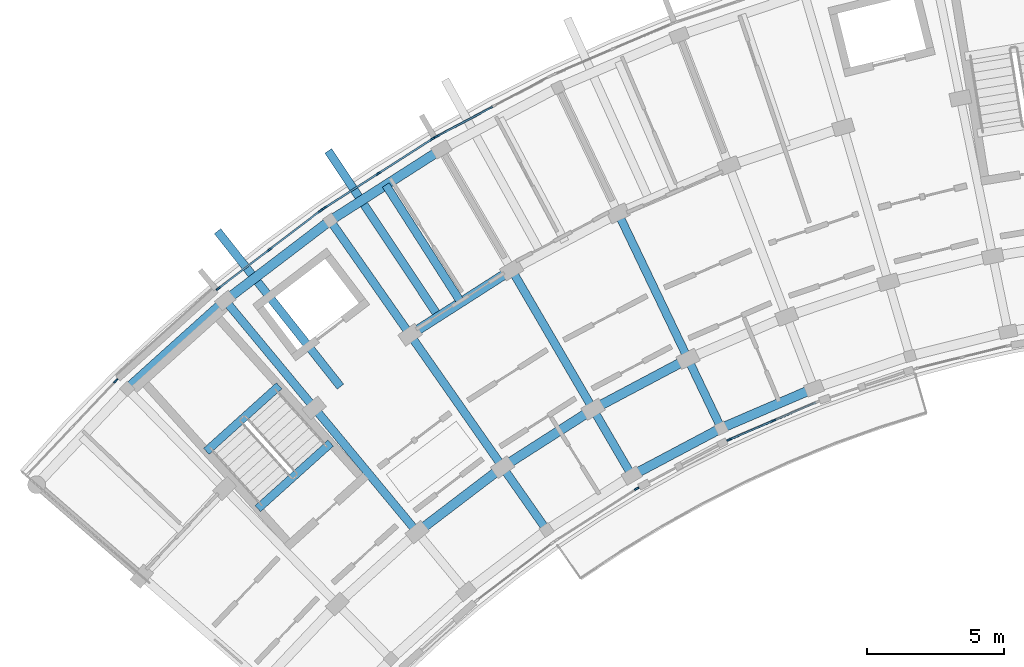
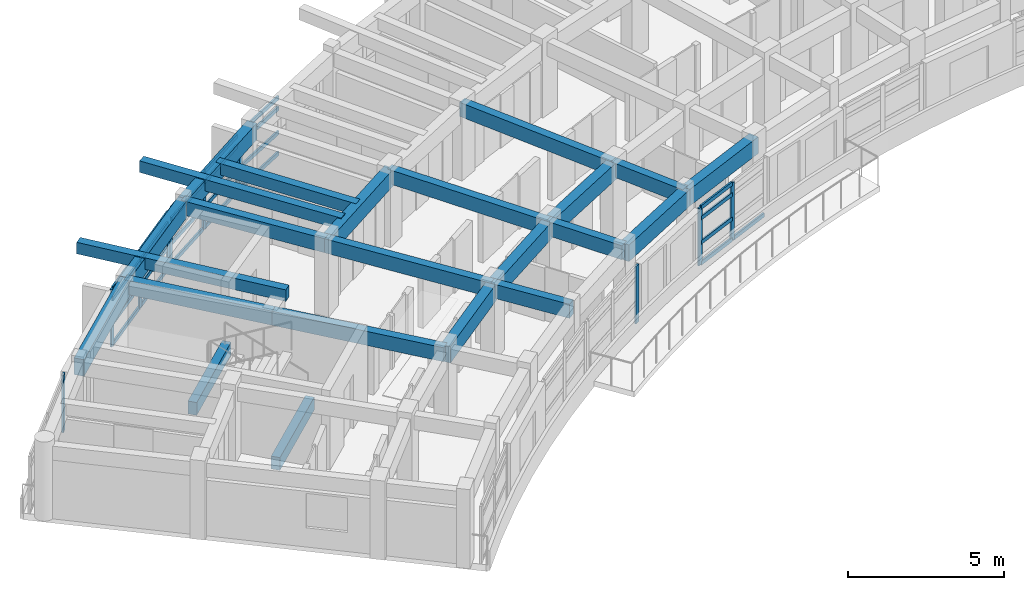
# One storey, part 3 of 38: 36 members, 23 beams, 6 elements without a shape of their own.
"""IFC4 building model written with IfcOpenShell, lengths in metres."""

from ifc_helpers import new_model, si_unit, direction, frame, origin, origin_2d, place, context, subcontext, project, spatial, rectangle, extrude, material, material_profile, profile_set, type_object, element, aggregate, save


model = new_model("IFC4")

# Units and contexts
model_context = context("Model", 3, precision=1e-05, world=origin(), true_north=direction((0.0, 1.0)))
body_context = subcontext(model_context, "Body", "Model", "MODEL_VIEW")
ifc_project = project(units=[si_unit("LENGTHUNIT", "METRE"), si_unit("AREAUNIT", "SQUARE_METRE"), si_unit("VOLUMEUNIT", "CUBIC_METRE"), si_unit("PLANEANGLEUNIT", "RADIAN"), si_unit("MASSUNIT", "GRAM", prefix="KILO")], contexts=[model_context])

# Site, building, storey
site_placement = place(None, origin())
site = spatial("IfcSite", under=ifc_project, at=site_placement, CompositionType="ELEMENT")
building_placement = place(site_placement, origin())
building = spatial("IfcBuilding", under=site, at=building_placement, Name="Zimvara Arc Housing Community", CompositionType="ELEMENT")
storey_placement = place(building_placement, frame((0.0, 0.0, 29.800048828125)))
storey = spatial("IfcBuildingStorey", under=building, at=storey_placement, Name="L09", CompositionType="ELEMENT", Elevation=29.800048828125)

# Beams
ifc_material_1 = material(Name="Concrete C40/50", Category="concrete")
ifc_material_profile_1 = material_profile(ifc_material_1, rectangle(XDim=0.300048828125, YDim=0.449951171875, at=origin_2d()), Name="RC 300x450")
ifc_profile_set_1 = profile_set([ifc_material_profile_1], Name="Concrete C40/50")
beam_type_1 = type_object("IfcBeamType", Name="BM-RC-300x450", PredefinedType="JOIST", material=ifc_profile_set_1)
beam_1_placement = place(storey_placement, frame((16.0224609375, 89.776123046875, 2.635009765625), z_axis=(-0.539052331508, 0.842272274206, 0.0), x_axis=(-0.842272274206, -0.539052331508, 0.0)))
element("IfcBeam", 1, at=beam_1_placement, inside=storey, type_object=beam_type_1, Name="bm:blkA:L09:joist:b3", PredefinedType="JOIST", context=body_context, shape_type="SweptSolid", body=[
    extrude(rectangle(XDim=0.300048828125, YDim=0.449951171875, at=origin_2d()), origin(), (0.0, 0.0, 1.0), 5.07568359375),
])
for number, where, z_axis, x_axis, name in (
    (2, (11.634033203125, 86.703857421875, 2.6650390625), (-0.620202196013, 0.784441990246, 0.0), (-0.784441990246, -0.620202196013, 0.0), "bm:blkA:L09:cant_out:b2"),
    (3, (15.188720703125, 89.285400390625, 2.6650390625), (-0.554114811637, 0.832440253426, 0.0), (-0.832440253426, -0.554114811637, 0.0), "bm:blkA:L09:cant_out:b3"),
):
    element("IfcBeam", number, at=place(storey_placement, frame(where, z_axis=z_axis, x_axis=x_axis)), inside=storey, type_object=beam_type_1, Name=name, PredefinedType="JOIST", context=body_context, shape_type="SweptSolid", body=[
        extrude(rectangle(XDim=0.300048828125, YDim=0.449951171875, at=origin_2d()), origin(), (0.0, 0.0, 1.0), 7.219970703125),
    ])
ifc_material_2 = material(Name="Concrete C40/50", Category="concrete")
ifc_material_profile_2 = material_profile(ifc_material_2, rectangle(XDim=0.300048828125, YDim=0.5, at=origin_2d()), Name="RC 300x500")
ifc_profile_set_2 = profile_set([ifc_material_profile_2], Name="Concrete C40/50")
beam_type_2 = type_object("IfcBeamType", Name="BM-RC-300x500", PredefinedType="BEAM", material=ifc_profile_set_2)
for number, where, z_axis, x_axis, name in (
    (4, (11.278076171875, 84.64697265625, -0.25), (-0.743362151162, -0.668889162881, 0.0), (0.668889162881, -0.743362151162, 0.0), "bm:stair_trim:ST-A1:L09:near"),
    (5, (9.39990234375, 86.734375, 1.300048828125), (-0.743362151162, -0.668889162881, 0.0), (0.668889162881, -0.743362151162, 0.0), "bm:stair_trim:ST-A1:L09:mid"),
):
    element("IfcBeam", number, at=place(storey_placement, frame(where, z_axis=z_axis, x_axis=x_axis)), inside=storey, type_object=beam_type_2, Name=name, PredefinedType="BEAM", context=body_context, shape_type="SweptSolid", body=[
        extrude(rectangle(XDim=0.300048828125, YDim=0.5, at=origin_2d()), origin(), (0.0, 0.0, 1.0), 3.570068359375),
    ])
ifc_material_3 = material(Name="Concrete C40/50", Category="concrete")
ifc_material_profile_3 = material_profile(ifc_material_3, rectangle(XDim=0.300048828125, YDim=0.550048828125, at=origin_2d()), Name="RC 300x550")
ifc_profile_set_3 = profile_set([ifc_material_profile_3], Name="Concrete C40/50")
beam_type_3 = type_object("IfcBeamType", Name="BM-RC-300x550", PredefinedType="BEAM", material=ifc_profile_set_3)
beam_2_placement = place(storey_placement, frame((14.428955078125, 81.401611328125, 2.5849609375), z_axis=(-0.637955964415, 0.770072845559, 0.0), x_axis=(-0.770072845559, -0.637955964415, 0.0)))
element("IfcBeam", 6, at=beam_2_placement, inside=storey, type_object=beam_type_3, Name="bm:blkA:L09:rad:b2:r12", PredefinedType="BEAM", context=body_context, shape_type="SweptSolid", body=[
    extrude(rectangle(XDim=0.300048828125, YDim=0.550048828125, at=origin_2d()), origin(), (0.0, 0.0, 1.0), 5.880126953125),
])
beam_3_placement = place(storey_placement, frame((10.677734375, 85.9296875, 2.5849609375), z_axis=(-0.637983669165, 0.77004989311, 0.0), x_axis=(-0.77004989311, -0.637983669165, 0.0)))
element("IfcBeam", 7, at=beam_3_placement, inside=storey, type_object=beam_type_3, Name="bm:blkA:L09:rad:b2:r23", PredefinedType="BEAM", context=body_context, shape_type="SweptSolid", body=[
    extrude(rectangle(XDim=0.300048828125, YDim=0.550048828125, at=origin_2d()), origin(), (0.0, 0.0, 1.0), 5.080078125),
])
beam_4_placement = place(storey_placement, frame((19.14599609375, 81.478271484375, 2.5849609375), z_axis=(-0.57297651105, 0.819571789281, 0.0), x_axis=(-0.819571789281, -0.57297651105, 0.0)))
element("IfcBeam", 8, at=beam_4_placement, inside=storey, type_object=beam_type_3, Name="bm:blkA:L09:rad:b3:r01", PredefinedType="BEAM", context=body_context, shape_type="SweptSolid", body=[
    extrude(rectangle(XDim=0.300048828125, YDim=0.550048828125, at=origin_2d()), origin(), (0.0, 0.0, 1.0), 2.7998046875),
])
beam_5_placement = place(storey_placement, frame((17.541748046875, 83.77294921875, 2.5849609375), z_axis=(-0.573027549978, 0.819536104736, 0.0), x_axis=(-0.819536104736, -0.573027549978, 0.0)))
element("IfcBeam", 9, at=beam_5_placement, inside=storey, type_object=beam_type_3, Name="bm:blkA:L09:rad:b3:r12", PredefinedType="BEAM", context=body_context, shape_type="SweptSolid", body=[
    extrude(rectangle(XDim=0.300048828125, YDim=0.550048828125, at=origin_2d()), origin(), (0.0, 0.0, 1.0), 5.8798828125),
])
beam_6_placement = place(storey_placement, frame((14.17236328125, 88.591796875, 2.5849609375), z_axis=(-0.573007469479, 0.819550144848, 0.0), x_axis=(-0.819550144848, -0.573007469479, 0.0)))
element("IfcBeam", 10, at=beam_6_placement, inside=storey, type_object=beam_type_3, Name="bm:blkA:L09:rad:b3:r23", PredefinedType="BEAM", context=body_context, shape_type="SweptSolid", body=[
    extrude(rectangle(XDim=0.300048828125, YDim=0.550048828125, at=origin_2d()), origin(), (0.0, 0.0, 1.0), 5.080078125),
])
beam_7_placement = place(storey_placement, frame((22.249267578125, 83.46435546875, 2.5849609375), z_axis=(-0.504239631668, 0.86356377521, 0.0), x_axis=(-0.86356377521, -0.504239631668, 0.0)))
element("IfcBeam", 11, at=beam_7_placement, inside=storey, type_object=beam_type_3, Name="bm:blkA:L09:rad:b4:r01", PredefinedType="BEAM", context=body_context, shape_type="SweptSolid", body=[
    extrude(rectangle(XDim=0.300048828125, YDim=0.550048828125, at=origin_2d()), origin(), (0.0, 0.0, 1.0), 2.800048828125),
])
beam_8_placement = place(storey_placement, frame((20.83740234375, 85.88232421875, 2.5849609375), z_axis=(-0.504219494781, 0.863575532934, 0.0), x_axis=(-0.863575532934, -0.504219494781, 0.0)))
element("IfcBeam", 12, at=beam_8_placement, inside=storey, type_object=beam_type_3, Name="bm:blkA:L09:rad:b4:r12", PredefinedType="BEAM", context=body_context, shape_type="SweptSolid", body=[
    extrude(rectangle(XDim=0.300048828125, YDim=0.550048828125, at=origin_2d()), origin(), (0.0, 0.0, 1.0), 5.880126953125),
])
beam_9_placement = place(storey_placement, frame((25.50439453125, 85.190673828125, 2.5849609375), z_axis=(-0.432118703138, 0.901816736593, 0.0), x_axis=(-0.901816736593, -0.432118703138, 0.0)))
element("IfcBeam", 13, at=beam_9_placement, inside=storey, type_object=beam_type_3, Name="bm:blkA:L09:rad:b5:r01", PredefinedType="BEAM", context=body_context, shape_type="SweptSolid", body=[
    extrude(rectangle(XDim=0.300048828125, YDim=0.550048828125, at=origin_2d()), origin(), (0.0, 0.0, 1.0), 2.800048828125),
])
beam_10_placement = place(storey_placement, frame((24.29443359375, 87.7158203125, 2.5849609375), z_axis=(-0.432069527705, 0.901840298073, 0.0), x_axis=(-0.901840298073, -0.432069527705, 0.0)))
element("IfcBeam", 14, at=beam_10_placement, inside=storey, type_object=beam_type_3, Name="bm:blkA:L09:rad:b5:r12", PredefinedType="BEAM", context=body_context, shape_type="SweptSolid", body=[
    extrude(rectangle(XDim=0.300048828125, YDim=0.550048828125, at=origin_2d()), origin(), (0.0, 0.0, 1.0), 5.8798828125),
])
ifc_material_4 = material(Name="Concrete C40/50", Category="concrete")
ifc_material_profile_4 = material_profile(ifc_material_4, rectangle(XDim=0.35009765625, YDim=0.64990234375, at=origin_2d()), Name="RC 350x650")
ifc_profile_set_4 = profile_set([ifc_material_profile_4], Name="Concrete C40/50")
beam_type_4 = type_object("IfcBeamType", Name="BM-RC-350x650", PredefinedType="BEAM", material=ifc_profile_set_4)
beam_11_placement = place(storey_placement, frame((22.249267578125, 83.46435546875, 2.534912109375), z_axis=(0.883449220086, 0.468526920815, 0.0), x_axis=(-0.468526920815, 0.883449220086, 0.0)))
element("IfcBeam", 15, at=beam_11_placement, inside=storey, type_object=beam_type_4, Name="bm:blkA:L09:chord:r0:b4", PredefinedType="BEAM", context=body_context, shape_type="SweptSolid", body=[
    extrude(rectangle(XDim=0.35009765625, YDim=0.64990234375, at=origin_2d()), origin(), (0.0, 0.0, 1.0), 3.6845703125),
])
beam_12_placement = place(storey_placement, frame((25.50439453125, 85.190673828125, 2.534912109375), z_axis=(0.918705736243, 0.394942742932, 0.0), x_axis=(-0.394942742932, 0.918705736243, 0.0)))
element("IfcBeam", 16, at=beam_12_placement, inside=storey, type_object=beam_type_4, Name="bm:blkA:L09:chord:r0:b5", PredefinedType="BEAM", context=body_context, shape_type="SweptSolid", body=[
    extrude(rectangle(XDim=0.35009765625, YDim=0.64990234375, at=origin_2d()), origin(), (0.0, 0.0, 1.0), 3.684326171875),
])
beam_13_placement = place(storey_placement, frame((14.428955078125, 81.401611328125, 2.534912109375), z_axis=(0.795470387579, 0.605992460749, 0.0), x_axis=(-0.605992460749, 0.795470387579, 0.0)))
element("IfcBeam", 17, at=beam_13_placement, inside=storey, type_object=beam_type_4, Name="bm:blkA:L09:chord:r1:b2", PredefinedType="BEAM", context=body_context, shape_type="SweptSolid", body=[
    extrude(rectangle(XDim=0.35009765625, YDim=0.64990234375, at=origin_2d()), origin(), (0.0, 0.0, 1.0), 3.9130859375),
])
beam_14_placement = place(storey_placement, frame((17.541748046875, 83.77294921875, 2.534912109375), z_axis=(0.842253269878, 0.539082024724, 0.0), x_axis=(-0.539082024724, 0.842253269878, 0.0)))
element("IfcBeam", 18, at=beam_14_placement, inside=storey, type_object=beam_type_4, Name="bm:blkA:L09:chord:r1:b3", PredefinedType="BEAM", context=body_context, shape_type="SweptSolid", body=[
    extrude(rectangle(XDim=0.35009765625, YDim=0.64990234375, at=origin_2d()), origin(), (0.0, 0.0, 1.0), 3.912841796875),
])
beam_15_placement = place(storey_placement, frame((20.83740234375, 85.88232421875, 2.534912109375), z_axis=(0.883438625159, 0.468546897948, 0.0), x_axis=(-0.468546897948, 0.883438625159, 0.0)))
element("IfcBeam", 19, at=beam_15_placement, inside=storey, type_object=beam_type_4, Name="bm:blkA:L09:chord:r1:b4", PredefinedType="BEAM", context=body_context, shape_type="SweptSolid", body=[
    extrude(rectangle(XDim=0.35009765625, YDim=0.64990234375, at=origin_2d()), origin(), (0.0, 0.0, 1.0), 3.9130859375),
])
beam_16_placement = place(storey_placement, frame((14.17236328125, 88.591796875, 2.534912109375), z_axis=(0.842242131326, 0.539099427025, 0.0), x_axis=(-0.539099427025, 0.842242131326, 0.0)))
element("IfcBeam", 20, at=beam_16_placement, inside=storey, type_object=beam_type_4, Name="bm:blkA:L09:chord:r2:b3", PredefinedType="BEAM", context=body_context, shape_type="SweptSolid", body=[
    extrude(rectangle(XDim=0.35009765625, YDim=0.64990234375, at=origin_2d()), origin(), (0.0, 0.0, 1.0), 4.393310546875),
])
beam_17_placement = place(storey_placement, frame((3.862548828125, 86.625732421875, 2.534912109375), z_axis=(0.743395133402, 0.668852506637, 0.0), x_axis=(-0.668852506637, 0.743395133402, 0.0)))
element("IfcBeam", 21, at=beam_17_placement, inside=storey, type_object=beam_type_4, Name="bm:blkA:L09:chord:r3:b1", PredefinedType="BEAM", context=body_context, shape_type="SweptSolid", body=[
    extrude(rectangle(XDim=0.35009765625, YDim=0.64990234375, at=origin_2d()), origin(), (0.0, 0.0, 1.0), 4.807861328125),
])
beam_18_placement = place(storey_placement, frame((7.436767578125, 89.841552734375, 2.534912109375), z_axis=(0.795480673672, 0.605978958228, 0.0), x_axis=(-0.605978958228, 0.795480673672, 0.0)))
element("IfcBeam", 22, at=beam_18_placement, inside=storey, type_object=beam_type_4, Name="bm:blkA:L09:chord:r3:b2", PredefinedType="BEAM", context=body_context, shape_type="SweptSolid", body=[
    extrude(rectangle(XDim=0.35009765625, YDim=0.64990234375, at=origin_2d()), origin(), (0.0, 0.0, 1.0), 4.80810546875),
])
beam_19_placement = place(storey_placement, frame((11.261474609375, 92.755126953125, 2.534912109375), z_axis=(0.842255724028, 0.539078190379, 0.0), x_axis=(-0.539078190379, 0.842255724028, 0.0)))
element("IfcBeam", 23, at=beam_19_placement, inside=storey, type_object=beam_type_4, Name="bm:blkA:L09:chord:r3:b3", PredefinedType="BEAM", context=body_context, shape_type="SweptSolid", body=[
    extrude(rectangle(XDim=0.35009765625, YDim=0.64990234375, at=origin_2d()), origin(), (0.0, 0.0, 1.0), 4.808349609375),
])

# Curtain wall, member
ifc_material_5 = material(Name="Anodised Aluminium AW-6063", Category="aluminium")
curtain_wall_type_1 = type_object("IfcCurtainWallType", Name="CW-SYS-08", PredefinedType="USERDEFINED", material=ifc_material_5)
curtain_wall_1_placement = place(storey_placement, origin())
curtain_wall_1 = element("IfcCurtainWall", 24, at=curtain_wall_1_placement, inside=storey, type_object=curtain_wall_type_1, Name="cw:blkA:L09:in:b3", ObjectType="CURTAIN WALL", PredefinedType="USERDEFINED")
ifc_material_6 = material(Name="Anodised Aluminium AW-6063", Category="aluminium")
ifc_material_profile_5 = material_profile(ifc_material_6, rectangle(XDim=0.06494140625, YDim=0.179931640625, at=origin_2d()), Name="ALU 65x180")
ifc_profile_set_5 = profile_set([ifc_material_profile_5], Name="Anodised Aluminium AW-6063")
member_type_1 = type_object("IfcMemberType", Name="CWM-65x150", PredefinedType="MULLION", material=ifc_profile_set_5)
member_1_placement = place(storey_placement, frame((22.423583984375, 82.982666015625, 0.0), z_axis=(0.0, 0.0, 1.0), x_axis=(-0.539064085203, 0.842264751752, 0.0)))
member_1 = element("IfcMember", 25, at=member_1_placement, type_object=member_type_1, Name="CW08 mullion 3", PredefinedType="MULLION", context=body_context, shape_type="SweptSolid", body=[
    extrude(rectangle(XDim=0.06494140625, YDim=0.179931640625, at=origin_2d()), origin(), (0.0, 0.0, 1.0), 2.25),
])
aggregate(curtain_wall_1, [member_1])

ifc_material_7 = material(Name="Anodised Aluminium AW-6063", Category="aluminium")
curtain_wall_type_2 = type_object("IfcCurtainWallType", Name="CW-SYS-03", PredefinedType="USERDEFINED", material=ifc_material_7)
curtain_wall_2_placement = place(storey_placement, origin())
curtain_wall_2 = element("IfcCurtainWall", 26, at=curtain_wall_2_placement, inside=storey, type_object=curtain_wall_type_2, Name="cw:blkA:L09:out:b0", ObjectType="CURTAIN WALL", PredefinedType="USERDEFINED")
ifc_material_8 = material(Name="Anodised Aluminium AW-6063", Category="aluminium")
ifc_material_profile_6 = material_profile(ifc_material_8, rectangle(XDim=0.06494140625, YDim=0.195068359375, at=origin_2d()), Name="ALU 65x195")
ifc_profile_set_6 = profile_set([ifc_material_profile_6], Name="Anodised Aluminium AW-6063")
member_type_2 = type_object("IfcMemberType", Name="CWM-65x180", PredefinedType="MULLION", material=ifc_profile_set_6)
member_2_placement = place(storey_placement, frame((3.44970703125, 86.916015625, 0.0), z_axis=(0.0, 0.0, 1.0), x_axis=(-0.727293647725, 0.686326416495, 0.0)))
member_2 = element("IfcMember", 27, at=member_2_placement, type_object=member_type_2, Name="CW03 mullion 3", PredefinedType="MULLION", context=body_context, shape_type="SweptSolid", body=[
    extrude(rectangle(XDim=0.06494140625, YDim=0.195068359375, at=origin_2d()), origin(), (0.0, 0.0, 1.0), 2.25),
])
aggregate(curtain_wall_2, [member_2])

# Curtain wall, members
ifc_material_9 = material(Name="Anodised Aluminium AW-6063", Category="aluminium")
curtain_wall_type_3 = type_object("IfcCurtainWallType", Name="CW-SYS-05", PredefinedType="USERDEFINED", material=ifc_material_9)
curtain_wall_3_placement = place(storey_placement, origin())
curtain_wall_3 = element("IfcCurtainWall", 28, at=curtain_wall_3_placement, inside=storey, type_object=curtain_wall_type_3, Name="cw:blkA:L09:out:b2", ObjectType="CURTAIN WALL", PredefinedType="USERDEFINED")
member_3_placement = place(storey_placement, frame((7.19140625, 90.28271484375, 0.0), z_axis=(0.0, 0.0, 1.0), x_axis=(-0.60598771987, 0.795473999177, 0.0)))
member_3 = element("IfcMember", 29, at=member_3_placement, type_object=member_type_2, Name="CW05 mullion 1", PredefinedType="MULLION", context=body_context, shape_type="SweptSolid", body=[
    extrude(rectangle(XDim=0.06494140625, YDim=0.195068359375, at=origin_2d()), origin(), (0.0, 0.0, 1.0), 2.25),
])
member_4_placement = place(storey_placement, frame((9.04638671875, 91.69580078125, 0.0), z_axis=(0.0, 0.0, 1.0), x_axis=(-0.60598771987, 0.795473999177, 0.0)))
member_4 = element("IfcMember", 30, at=member_4_placement, type_object=member_type_2, Name="CW05 mullion 2", PredefinedType="MULLION", context=body_context, shape_type="SweptSolid", body=[
    extrude(rectangle(XDim=0.06494140625, YDim=0.195068359375, at=origin_2d()), origin(), (0.0, 0.0, 1.0), 2.25),
])
member_5_placement = place(storey_placement, frame((10.9013671875, 93.10888671875, 0.0), z_axis=(0.0, 0.0, 1.0), x_axis=(-0.60598771987, 0.795473999177, 0.0)))
member_5 = element("IfcMember", 31, at=member_5_placement, type_object=member_type_2, Name="CW05 mullion 3", PredefinedType="MULLION", context=body_context, shape_type="SweptSolid", body=[
    extrude(rectangle(XDim=0.06494140625, YDim=0.195068359375, at=origin_2d()), origin(), (0.0, 0.0, 1.0), 2.25),
])

ifc_material_10 = material(Name="Anodised Aluminium AW-6063", Category="aluminium")
curtain_wall_type_4 = type_object("IfcCurtainWallType", Name="CW-SYS-07", PredefinedType="USERDEFINED", material=ifc_material_10)
curtain_wall_4_placement = place(storey_placement, origin())
curtain_wall_4 = element("IfcCurtainWall", 32, at=curtain_wall_4_placement, inside=storey, type_object=curtain_wall_type_4, Name="cw:blkA:L09:out:b3", ObjectType="CURTAIN WALL", PredefinedType="USERDEFINED")
member_6_placement = place(storey_placement, frame((11.052978515625, 93.21484375, 0.0), z_axis=(0.0, 0.0, 1.0), x_axis=(-0.539064617721, 0.842264410931, 0.0)))
member_6 = element("IfcMember", 33, at=member_6_placement, type_object=member_type_2, Name="CW07 mullion 1", PredefinedType="MULLION", context=body_context, shape_type="SweptSolid", body=[
    extrude(rectangle(XDim=0.06494140625, YDim=0.195068359375, at=origin_2d()), origin(), (0.0, 0.0, 1.0), 2.25),
])
member_7_placement = place(storey_placement, frame((13.01708984375, 94.471923828125, 0.0), z_axis=(0.0, 0.0, 1.0), x_axis=(-0.539064617721, 0.842264410931, 0.0)))
member_7 = element("IfcMember", 34, at=member_7_placement, type_object=member_type_2, Name="CW07 mullion 2", PredefinedType="MULLION", context=body_context, shape_type="SweptSolid", body=[
    extrude(rectangle(XDim=0.06494140625, YDim=0.195068359375, at=origin_2d()), origin(), (0.0, 0.0, 1.0), 2.25),
])
member_8_placement = place(storey_placement, frame((14.981201171875, 95.72900390625, 0.0), z_axis=(0.0, 0.0, 1.0), x_axis=(-0.539064617721, 0.842264410931, 0.0)))
member_8 = element("IfcMember", 35, at=member_8_placement, type_object=member_type_2, Name="CW07 mullion 3", PredefinedType="MULLION", context=body_context, shape_type="SweptSolid", body=[
    extrude(rectangle(XDim=0.06494140625, YDim=0.195068359375, at=origin_2d()), origin(), (0.0, 0.0, 1.0), 2.25),
])

# Curtain wall, member
ifc_material_11 = material(Name="Anodised Aluminium AW-6063", Category="aluminium")
curtain_wall_type_5 = type_object("IfcCurtainWallType", Name="CW-SYS-01", PredefinedType="USERDEFINED", material=ifc_material_11)
curtain_wall_5_placement = place(storey_placement, origin())
curtain_wall_5 = element("IfcCurtainWall", 36, at=curtain_wall_5_placement, inside=storey, type_object=curtain_wall_type_5, Name="cw:blkA:L09:out:b4", ObjectType="CURTAIN WALL", PredefinedType="USERDEFINED")
member_9_placement = place(storey_placement, frame((15.140869140625, 95.822265625, 0.0), z_axis=(0.0, 0.0, 1.0), x_axis=(-0.468546917761, 0.883438614651, 0.0)))
member_9 = element("IfcMember", 37, at=member_9_placement, type_object=member_type_2, Name="CW01 mullion 1", PredefinedType="MULLION", context=body_context, shape_type="SweptSolid", body=[
    extrude(rectangle(XDim=0.06494140625, YDim=0.195068359375, at=origin_2d()), origin(), (0.0, 0.0, 1.0), 2.25),
])

# Curtain wall, members
curtain_wall_6_placement = place(storey_placement, origin())
curtain_wall_6 = element("IfcCurtainWall", 38, at=curtain_wall_6_placement, inside=storey, type_object=curtain_wall_type_2, Name="cw:blkA:L09:in:b5", ObjectType="CURTAIN WALL", PredefinedType="USERDEFINED")
member_10_placement = place(storey_placement, frame((25.805419921875, 84.7763671875, 0.0), z_axis=(0.0, 0.0, 1.0), x_axis=(-0.394904493375, 0.918722178415, 0.0)))
member_10 = element("IfcMember", 39, at=member_10_placement, type_object=member_type_2, Name="CW03 mullion 1", PredefinedType="MULLION", context=body_context, shape_type="SweptSolid", body=[
    extrude(rectangle(XDim=0.06494140625, YDim=0.195068359375, at=origin_2d()), origin(), (0.0, 0.0, 1.0), 2.25),
])
member_11_placement = place(storey_placement, frame((27.39404296875, 85.459228515625, 0.0), z_axis=(0.0, 0.0, 1.0), x_axis=(-0.394904493375, 0.918722178415, 0.0)))
member_11 = element("IfcMember", 40, at=member_11_placement, type_object=member_type_2, Name="CW03 mullion 2", PredefinedType="MULLION", context=body_context, shape_type="SweptSolid", body=[
    extrude(rectangle(XDim=0.06494140625, YDim=0.195068359375, at=origin_2d()), origin(), (0.0, 0.0, 1.0), 2.25),
])

# Member
ifc_material_12 = material(Name="Anodised Aluminium AW-6063", Category="aluminium")
ifc_material_profile_7 = material_profile(ifc_material_12, rectangle(XDim=0.06494140625, YDim=0.155029296875, at=origin_2d()), Name="ALU 65x155")
ifc_profile_set_7 = profile_set([ifc_material_profile_7], Name="Anodised Aluminium AW-6063")
member_type_3 = type_object("IfcMemberType", Name="CWT-65x140", PredefinedType="USERDEFINED", material=ifc_profile_set_7)
member_12_placement = place(storey_placement, frame((7.21728515625, 90.302490234375, 0.032470703125), z_axis=(0.795505886513, 0.605945859399, 0.0), x_axis=(-0.605945859399, 0.795505886513, 0.0)))
member_12 = element("IfcMember", 41, at=member_12_placement, type_object=member_type_3, Name="CW05 transom 1.1", ObjectType="TRANSOM", PredefinedType="USERDEFINED", context=body_context, shape_type="SweptSolid", body=[
    extrude(rectangle(XDim=0.06494140625, YDim=0.155029296875, at=origin_2d()), origin(), (0.0, 0.0, 1.0), 2.266845703125),
])

member_13_placement = place(storey_placement, frame((7.21728515625, 90.302490234375, 0.849853515625), z_axis=(0.795505886513, 0.605945859399, 0.0), x_axis=(-0.605945859399, 0.795505886513, 0.0)))
member_13 = element("IfcMember", 42, at=member_13_placement, type_object=member_type_3, Name="CW05 transom 1.2", ObjectType="TRANSOM", PredefinedType="USERDEFINED", context=body_context, shape_type="SweptSolid", body=[
    extrude(rectangle(XDim=0.06494140625, YDim=0.155029296875, at=origin_2d()), origin(), (0.0, 0.0, 1.0), 2.266845703125),
])

member_14_placement = place(storey_placement, frame((7.21728515625, 90.302490234375, 1.800048828125), z_axis=(0.795505886513, 0.605945859399, 0.0), x_axis=(-0.605945859399, 0.795505886513, 0.0)))
member_14 = element("IfcMember", 43, at=member_14_placement, type_object=member_type_3, Name="CW05 transom 1.3", ObjectType="TRANSOM", PredefinedType="USERDEFINED", context=body_context, shape_type="SweptSolid", body=[
    extrude(rectangle(XDim=0.06494140625, YDim=0.155029296875, at=origin_2d()), origin(), (0.0, 0.0, 1.0), 2.266845703125),
])

member_15_placement = place(storey_placement, frame((7.21728515625, 90.302490234375, 2.217529296875), z_axis=(0.795505886513, 0.605945859399, 0.0), x_axis=(-0.605945859399, 0.795505886513, 0.0)))
member_15 = element("IfcMember", 44, at=member_15_placement, type_object=member_type_3, Name="CW05 transom 1.4", ObjectType="TRANSOM", PredefinedType="USERDEFINED", context=body_context, shape_type="SweptSolid", body=[
    extrude(rectangle(XDim=0.06494140625, YDim=0.155029296875, at=origin_2d()), origin(), (0.0, 0.0, 1.0), 2.266845703125),
])

member_16_placement = place(storey_placement, frame((9.072265625, 91.715576171875, 0.032470703125), z_axis=(0.795453969776, 0.606014011363, 0.0), x_axis=(-0.606014011363, 0.795453969776, 0.0)))
member_16 = element("IfcMember", 45, at=member_16_placement, type_object=member_type_3, Name="CW05 transom 2.1", ObjectType="TRANSOM", PredefinedType="USERDEFINED", context=body_context, shape_type="SweptSolid", body=[
    extrude(rectangle(XDim=0.06494140625, YDim=0.155029296875, at=origin_2d()), origin(), (0.0, 0.0, 1.0), 2.266845703125),
])

member_17_placement = place(storey_placement, frame((9.072265625, 91.715576171875, 0.849853515625), z_axis=(0.795453969776, 0.606014011363, 0.0), x_axis=(-0.606014011363, 0.795453969776, 0.0)))
member_17 = element("IfcMember", 46, at=member_17_placement, type_object=member_type_3, Name="CW05 transom 2.2", ObjectType="TRANSOM", PredefinedType="USERDEFINED", context=body_context, shape_type="SweptSolid", body=[
    extrude(rectangle(XDim=0.06494140625, YDim=0.155029296875, at=origin_2d()), origin(), (0.0, 0.0, 1.0), 2.266845703125),
])

member_18_placement = place(storey_placement, frame((9.072265625, 91.715576171875, 1.800048828125), z_axis=(0.795453969776, 0.606014011363, 0.0), x_axis=(-0.606014011363, 0.795453969776, 0.0)))
member_18 = element("IfcMember", 47, at=member_18_placement, type_object=member_type_3, Name="CW05 transom 2.3", ObjectType="TRANSOM", PredefinedType="USERDEFINED", context=body_context, shape_type="SweptSolid", body=[
    extrude(rectangle(XDim=0.06494140625, YDim=0.155029296875, at=origin_2d()), origin(), (0.0, 0.0, 1.0), 2.266845703125),
])

member_19_placement = place(storey_placement, frame((9.072265625, 91.715576171875, 2.217529296875), z_axis=(0.795453969776, 0.606014011363, 0.0), x_axis=(-0.606014011363, 0.795453969776, 0.0)))
member_19 = element("IfcMember", 48, at=member_19_placement, type_object=member_type_3, Name="CW05 transom 2.4", ObjectType="TRANSOM", PredefinedType="USERDEFINED", context=body_context, shape_type="SweptSolid", body=[
    extrude(rectangle(XDim=0.06494140625, YDim=0.155029296875, at=origin_2d()), origin(), (0.0, 0.0, 1.0), 2.266845703125),
])

aggregate(curtain_wall_3, [member_3, member_4, member_5, member_12, member_13, member_14, member_15, member_16, member_17, member_18, member_19])

member_20_placement = place(storey_placement, frame((11.080322265625, 93.232421875, 0.032470703125), z_axis=(0.842292914806, 0.539020079095, 0.0), x_axis=(-0.539020079095, 0.842292914806, 0.0)))
member_20 = element("IfcMember", 49, at=member_20_placement, type_object=member_type_3, Name="CW07 transom 1.1", ObjectType="TRANSOM", PredefinedType="USERDEFINED", context=body_context, shape_type="SweptSolid", body=[
    extrude(rectangle(XDim=0.06494140625, YDim=0.155029296875, at=origin_2d()), origin(), (0.0, 0.0, 1.0), 2.266845703125),
])

member_21_placement = place(storey_placement, frame((11.080322265625, 93.232421875, 0.849853515625), z_axis=(0.842292914806, 0.539020079095, 0.0), x_axis=(-0.539020079095, 0.842292914806, 0.0)))
member_21 = element("IfcMember", 50, at=member_21_placement, type_object=member_type_3, Name="CW07 transom 1.2", ObjectType="TRANSOM", PredefinedType="USERDEFINED", context=body_context, shape_type="SweptSolid", body=[
    extrude(rectangle(XDim=0.06494140625, YDim=0.155029296875, at=origin_2d()), origin(), (0.0, 0.0, 1.0), 2.266845703125),
])

member_22_placement = place(storey_placement, frame((11.080322265625, 93.232421875, 1.800048828125), z_axis=(0.842292914806, 0.539020079095, 0.0), x_axis=(-0.539020079095, 0.842292914806, 0.0)))
member_22 = element("IfcMember", 51, at=member_22_placement, type_object=member_type_3, Name="CW07 transom 1.3", ObjectType="TRANSOM", PredefinedType="USERDEFINED", context=body_context, shape_type="SweptSolid", body=[
    extrude(rectangle(XDim=0.06494140625, YDim=0.155029296875, at=origin_2d()), origin(), (0.0, 0.0, 1.0), 2.266845703125),
])

member_23_placement = place(storey_placement, frame((11.080322265625, 93.232421875, 2.217529296875), z_axis=(0.842292914806, 0.539020079095, 0.0), x_axis=(-0.539020079095, 0.842292914806, 0.0)))
member_23 = element("IfcMember", 52, at=member_23_placement, type_object=member_type_3, Name="CW07 transom 1.4", ObjectType="TRANSOM", PredefinedType="USERDEFINED", context=body_context, shape_type="SweptSolid", body=[
    extrude(rectangle(XDim=0.06494140625, YDim=0.155029296875, at=origin_2d()), origin(), (0.0, 0.0, 1.0), 2.266845703125),
])

member_24_placement = place(storey_placement, frame((13.04443359375, 94.489501953125, 0.032470703125), z_axis=(0.842292914806, 0.539020079095, 0.0), x_axis=(-0.539020079095, 0.842292914806, 0.0)))
member_24 = element("IfcMember", 53, at=member_24_placement, type_object=member_type_3, Name="CW07 transom 2.1", ObjectType="TRANSOM", PredefinedType="USERDEFINED", context=body_context, shape_type="SweptSolid", body=[
    extrude(rectangle(XDim=0.06494140625, YDim=0.155029296875, at=origin_2d()), origin(), (0.0, 0.0, 1.0), 2.266845703125),
])

member_25_placement = place(storey_placement, frame((13.04443359375, 94.489501953125, 0.849853515625), z_axis=(0.842292914806, 0.539020079095, 0.0), x_axis=(-0.539020079095, 0.842292914806, 0.0)))
member_25 = element("IfcMember", 54, at=member_25_placement, type_object=member_type_3, Name="CW07 transom 2.2", ObjectType="TRANSOM", PredefinedType="USERDEFINED", context=body_context, shape_type="SweptSolid", body=[
    extrude(rectangle(XDim=0.06494140625, YDim=0.155029296875, at=origin_2d()), origin(), (0.0, 0.0, 1.0), 2.266845703125),
])

member_26_placement = place(storey_placement, frame((13.04443359375, 94.489501953125, 1.800048828125), z_axis=(0.842292914806, 0.539020079095, 0.0), x_axis=(-0.539020079095, 0.842292914806, 0.0)))
member_26 = element("IfcMember", 55, at=member_26_placement, type_object=member_type_3, Name="CW07 transom 2.3", ObjectType="TRANSOM", PredefinedType="USERDEFINED", context=body_context, shape_type="SweptSolid", body=[
    extrude(rectangle(XDim=0.06494140625, YDim=0.155029296875, at=origin_2d()), origin(), (0.0, 0.0, 1.0), 2.266845703125),
])

member_27_placement = place(storey_placement, frame((13.04443359375, 94.489501953125, 2.217529296875), z_axis=(0.842292914806, 0.539020079095, 0.0), x_axis=(-0.539020079095, 0.842292914806, 0.0)))
member_27 = element("IfcMember", 56, at=member_27_placement, type_object=member_type_3, Name="CW07 transom 2.4", ObjectType="TRANSOM", PredefinedType="USERDEFINED", context=body_context, shape_type="SweptSolid", body=[
    extrude(rectangle(XDim=0.06494140625, YDim=0.155029296875, at=origin_2d()), origin(), (0.0, 0.0, 1.0), 2.266845703125),
])

aggregate(curtain_wall_4, [member_6, member_7, member_8, member_20, member_21, member_22, member_23, member_24, member_25, member_26, member_27])

member_28_placement = place(storey_placement, frame((15.16943359375, 95.83740234375, 0.032470703125), z_axis=(0.883420900208, 0.468580316568, 0.0), x_axis=(-0.468580316568, 0.883420900208, 0.0)))
member_28 = element("IfcMember", 57, at=member_28_placement, type_object=member_type_3, Name="CW01 transom 1.1", ObjectType="TRANSOM", PredefinedType="USERDEFINED", context=body_context, shape_type="SweptSolid", body=[
    extrude(rectangle(XDim=0.06494140625, YDim=0.155029296875, at=origin_2d()), origin(), (0.0, 0.0, 1.0), 2.266845703125),
])

member_29_placement = place(storey_placement, frame((15.16943359375, 95.83740234375, 0.849853515625), z_axis=(0.883420900208, 0.468580316568, 0.0), x_axis=(-0.468580316568, 0.883420900208, 0.0)))
member_29 = element("IfcMember", 58, at=member_29_placement, type_object=member_type_3, Name="CW01 transom 1.2", ObjectType="TRANSOM", PredefinedType="USERDEFINED", context=body_context, shape_type="SweptSolid", body=[
    extrude(rectangle(XDim=0.06494140625, YDim=0.155029296875, at=origin_2d()), origin(), (0.0, 0.0, 1.0), 2.266845703125),
])

member_30_placement = place(storey_placement, frame((15.16943359375, 95.83740234375, 1.800048828125), z_axis=(0.883420900208, 0.468580316568, 0.0), x_axis=(-0.468580316568, 0.883420900208, 0.0)))
member_30 = element("IfcMember", 59, at=member_30_placement, type_object=member_type_3, Name="CW01 transom 1.3", ObjectType="TRANSOM", PredefinedType="USERDEFINED", context=body_context, shape_type="SweptSolid", body=[
    extrude(rectangle(XDim=0.06494140625, YDim=0.155029296875, at=origin_2d()), origin(), (0.0, 0.0, 1.0), 2.266845703125),
])

member_31_placement = place(storey_placement, frame((15.16943359375, 95.83740234375, 2.217529296875), z_axis=(0.883420900208, 0.468580316568, 0.0), x_axis=(-0.468580316568, 0.883420900208, 0.0)))
member_31 = element("IfcMember", 60, at=member_31_placement, type_object=member_type_3, Name="CW01 transom 1.4", ObjectType="TRANSOM", PredefinedType="USERDEFINED", context=body_context, shape_type="SweptSolid", body=[
    extrude(rectangle(XDim=0.06494140625, YDim=0.155029296875, at=origin_2d()), origin(), (0.0, 0.0, 1.0), 2.266845703125),
])

aggregate(curtain_wall_5, [member_9, member_28, member_29, member_30, member_31])

member_32_placement = place(storey_placement, frame((25.835205078125, 84.7890625, 0.032470703125), z_axis=(0.918727202972, 0.394892803832, 0.0), x_axis=(-0.394892803832, 0.918727202972, 0.0)))
member_32 = element("IfcMember", 61, at=member_32_placement, type_object=member_type_3, Name="CW03 transom 1.1", ObjectType="TRANSOM", PredefinedType="USERDEFINED", context=body_context, shape_type="SweptSolid", body=[
    extrude(rectangle(XDim=0.06494140625, YDim=0.155029296875, at=origin_2d()), origin(), (0.0, 0.0, 1.0), 1.664306640625),
])

member_33_placement = place(storey_placement, frame((25.835205078125, 84.7890625, 0.849853515625), z_axis=(0.918727202972, 0.394892803832, 0.0), x_axis=(-0.394892803832, 0.918727202972, 0.0)))
member_33 = element("IfcMember", 62, at=member_33_placement, type_object=member_type_3, Name="CW03 transom 1.2", ObjectType="TRANSOM", PredefinedType="USERDEFINED", context=body_context, shape_type="SweptSolid", body=[
    extrude(rectangle(XDim=0.06494140625, YDim=0.155029296875, at=origin_2d()), origin(), (0.0, 0.0, 1.0), 1.664306640625),
])

member_34_placement = place(storey_placement, frame((25.835205078125, 84.7890625, 1.800048828125), z_axis=(0.918727202972, 0.394892803832, 0.0), x_axis=(-0.394892803832, 0.918727202972, 0.0)))
member_34 = element("IfcMember", 63, at=member_34_placement, type_object=member_type_3, Name="CW03 transom 1.3", ObjectType="TRANSOM", PredefinedType="USERDEFINED", context=body_context, shape_type="SweptSolid", body=[
    extrude(rectangle(XDim=0.06494140625, YDim=0.155029296875, at=origin_2d()), origin(), (0.0, 0.0, 1.0), 1.664306640625),
])

member_35_placement = place(storey_placement, frame((25.835205078125, 84.7890625, 2.217529296875), z_axis=(0.918727202972, 0.394892803832, 0.0), x_axis=(-0.394892803832, 0.918727202972, 0.0)))
member_35 = element("IfcMember", 64, at=member_35_placement, type_object=member_type_3, Name="CW03 transom 1.4", ObjectType="TRANSOM", PredefinedType="USERDEFINED", context=body_context, shape_type="SweptSolid", body=[
    extrude(rectangle(XDim=0.06494140625, YDim=0.155029296875, at=origin_2d()), origin(), (0.0, 0.0, 1.0), 1.664306640625),
])

member_36_placement = place(storey_placement, frame((27.423828125, 85.471923828125, 0.032470703125), z_axis=(0.918673978315, 0.395016609229, 0.0), x_axis=(-0.395016609229, 0.918673978315, 0.0)))
member_36 = element("IfcMember", 65, at=member_36_placement, type_object=member_type_3, Name="CW03 transom 2.1", ObjectType="TRANSOM", PredefinedType="USERDEFINED", context=body_context, shape_type="SweptSolid", body=[
    extrude(rectangle(XDim=0.06494140625, YDim=0.155029296875, at=origin_2d()), origin(), (0.0, 0.0, 1.0), 1.664306640625),
])

aggregate(curtain_wall_6, [member_10, member_11, member_32, member_33, member_34, member_35, member_36])

save(model, "model.ifc")
